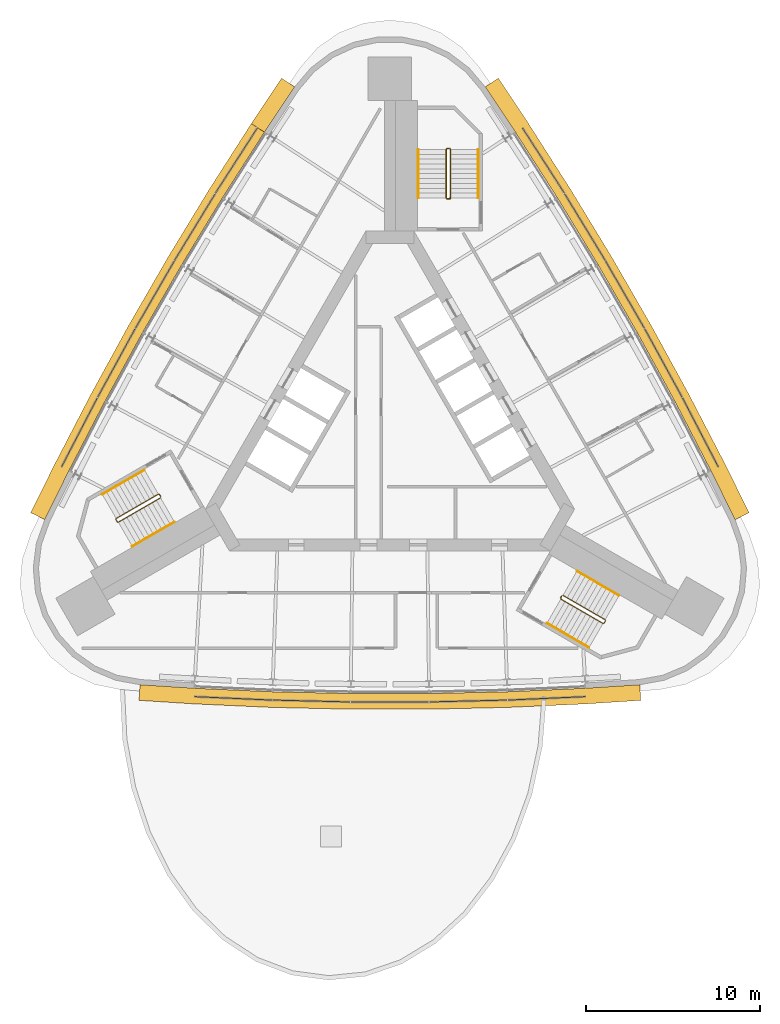
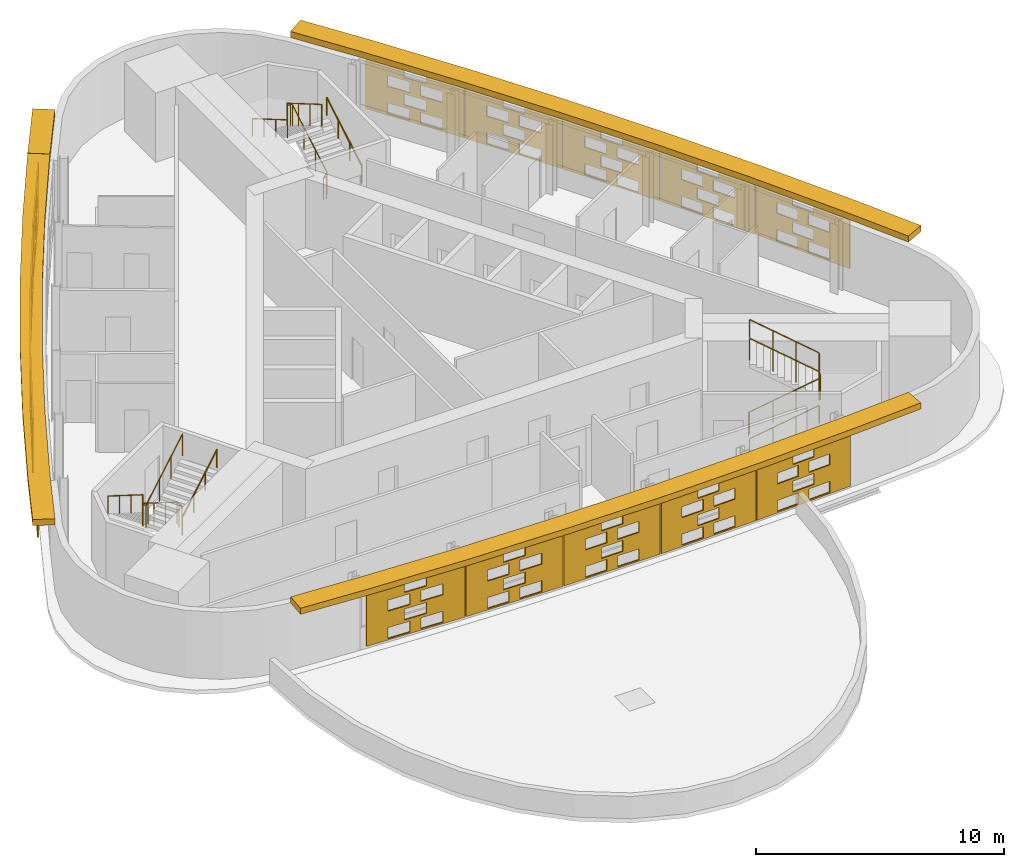
# One storey, part 9 of 9: 19 shading devices, 9 railings.
"""IFC4 building model written with IfcOpenShell, lengths in metres."""

import ifcopenshell
import ifcopenshell.guid

model = None  # the IFC model being written
_history = None  # IfcOwnerHistory: only IFC2X3 demands one
_inside = {}  # id of a spatial element -> (the spatial element, [elements in it])
_under = {}  # id of a project, library or spatial element -> (it, [spatial elements below it])
_declared = {}  # id of a project -> (the project, [libraries it declares])
_typed = {}  # id of a type object -> (the type object, [elements of that type])
_made_of = {}  # id of a material, layer set ... -> (it, [elements and type objects made of it])


def new_model(schema):
    """Start an empty IFC model of exactly this schema.

    Asked for "IFC4X3", IfcOpenShell would pick the latest addendum, in which some entities
    have other attributes; the version numbers below select the first issue.
    IFC2X3 requires an IfcOwnerHistory on every rooted entity: one is made here for all.
    """
    global model, _history
    if schema == "IFC4X3":
        model = ifcopenshell.file(schema_version=(4, 3, 0, 0))
    else:
        model = ifcopenshell.file(schema=schema)
    _inside.clear()
    _under.clear()
    _declared.clear()
    _typed.clear()
    _made_of.clear()
    _history = None
    if model.schema == "IFC2X3":
        org = make("IfcOrganization", Name="unknown")
        user = make(
            "IfcPersonAndOrganization",
            ThePerson=make("IfcPerson", FamilyName="unknown"),
            TheOrganization=org,
        )
        app = make(
            "IfcApplication",
            ApplicationDeveloper=org,
            Version="unknown",
            ApplicationFullName="unknown",
            ApplicationIdentifier="unknown",
        )
        _history = make(
            "IfcOwnerHistory",
            OwningUser=user,
            OwningApplication=app,
            ChangeAction="ADDED",
            CreationDate=0,
        )
    return model


def make(cls, **values):
    """One entity of the class cls with the attributes given. An attribute that is None is left unset."""
    return model.create_entity(
        cls, **{name: value for name, value in values.items() if value is not None}
    )


def rooted(cls, **values):
    """An entity with a GlobalId (a new one), such as an element, a storey or a relation."""
    return make(cls, GlobalId=ifcopenshell.guid.new(), OwnerHistory=_history, **values)


def si_unit(unit_type, name, prefix=None):
    """IfcSIUnit, for example si_unit("LENGTHUNIT", "METRE", prefix="MILLI")."""
    return make("IfcSIUnit", UnitType=unit_type, Prefix=prefix, Name=name)


def assignment(units):
    """IfcUnitAssignment: the units of a project."""
    return None if units is None else make("IfcUnitAssignment", Units=units)


def point(xyz):
    """IfcCartesianPoint."""
    return None if xyz is None else make("IfcCartesianPoint", Coordinates=xyz)


def direction(xyz):
    """IfcDirection."""
    return None if xyz is None else make("IfcDirection", DirectionRatios=xyz)


def frame(location, z_axis=None, x_axis=None):
    """IfcAxis2Placement3D, a coordinate frame: its origin and axes. An axis left out is left unset."""
    return make(
        "IfcAxis2Placement3D",
        Location=point(location),
        Axis=direction(z_axis),
        RefDirection=direction(x_axis),
    )


def frame_2d(location, x_axis=None):
    """IfcAxis2Placement2D, a coordinate frame in the plane: its origin and x axis."""
    return make(
        "IfcAxis2Placement2D", Location=point(location), RefDirection=direction(x_axis)
    )


def origin():
    """The frame at (0, 0, 0) with its axes left unset."""
    return frame((0.0, 0.0, 0.0))


def origin_2d():
    """The frame at (0, 0) in the plane with its x axis left unset."""
    return frame_2d((0.0, 0.0))


def place(relative_to, where):
    """IfcLocalPlacement: puts the frame where relative to a parent placement (None: the world)."""
    return make(
        "IfcLocalPlacement", PlacementRelTo=relative_to, RelativePlacement=where
    )


def context(
    kind, dimensions, precision=None, world=None, true_north=None, identifier=None
):
    """IfcGeometricRepresentationContext, for example the 3D "Model" context."""
    return make(
        "IfcGeometricRepresentationContext",
        ContextIdentifier=identifier,
        ContextType=kind,
        CoordinateSpaceDimension=dimensions,
        Precision=precision,
        WorldCoordinateSystem=world,
        TrueNorth=true_north,
    )


def subcontext(parent, identifier, kind, view, scale=None):
    """IfcGeometricRepresentationSubContext, for example "Body" below "Model"."""
    return make(
        "IfcGeometricRepresentationSubContext",
        ContextIdentifier=identifier,
        ContextType=kind,
        ParentContext=parent,
        TargetScale=scale,
        TargetView=view,
    )


def project(units=None, contexts=None):
    """IfcProject with its units and contexts."""
    return rooted(
        "IfcProject",
        Name="project",
        RepresentationContexts=contexts,
        UnitsInContext=assignment(units),
    )


def spatial(cls, under=None, at=None, **own):
    """A site, building, storey or space (cls), placed at a placement, below another one or the project."""
    s = rooted(cls, ObjectPlacement=at, **own)
    if under is not None:
        _under.setdefault(under.id(), (under, []))[1].append(s)
    return s


def polyline(points):
    """IfcPolyline through the points."""
    return make("IfcPolyline", Points=[point(p) for p in points])


def profile(cls, at=None, kind="AREA", **sizes):
    """A parametric profile (cls). Its sizes go by their IFC names, for example OverallWidth=200.0."""
    return make(cls, ProfileType=kind, Position=at, **sizes)


def circle(**sizes):
    """IfcCircleProfileDef."""
    return profile("IfcCircleProfileDef", **sizes)


def outline(outer, holes=None, kind="AREA"):
    """IfcArbitraryClosedProfileDef: a profile drawn as a closed curve; with holes, ...WithVoids."""
    if holes is None:
        return make("IfcArbitraryClosedProfileDef", ProfileType=kind, OuterCurve=outer)
    return make(
        "IfcArbitraryProfileDefWithVoids",
        ProfileType=kind,
        OuterCurve=outer,
        InnerCurves=holes,
    )


def extrude(swept, where, along, depth):
    """IfcExtrudedAreaSolid: the profile swept, set in the frame where, extruded along a direction by depth."""
    return make(
        "IfcExtrudedAreaSolid",
        SweptArea=swept,
        Position=where,
        ExtrudedDirection=direction(along),
        Depth=depth,
    )


def shape(context_of_items, identifier, shape_type, items):
    """IfcShapeRepresentation: the items that make up one representation, for example the "Body"."""
    return make(
        "IfcShapeRepresentation",
        ContextOfItems=context_of_items,
        RepresentationIdentifier=identifier,
        RepresentationType=shape_type,
        Items=items,
    )


def material(Name=None, Category=None):
    """IfcMaterial."""
    return make("IfcMaterial", Name=Name, Category=Category)


def material_profile(
    of_material, cross_section, Name=None, Category=None, Priority=None
):
    """IfcMaterialProfile: a cross section and its material."""
    return make(
        "IfcMaterialProfile",
        Name=Name,
        Material=of_material,
        Profile=cross_section,
        Priority=Priority,
        Category=Category,
    )


def profile_set(profiles, Name=None, composite=None):
    """IfcMaterialProfileSet."""
    return make(
        "IfcMaterialProfileSet",
        Name=Name,
        MaterialProfiles=profiles,
        CompositeProfile=composite,
    )


def made_of(thing, what):
    """Note that an element or type object is made of a material, layer set ...; save() writes the relation."""
    if what is not None:
        _made_of.setdefault(what.id(), (what, []))[1].append(thing)
    return thing


def type_object(cls, material=None, **own):
    """A type object (cls), such as IfcWallType, which elements share."""
    return made_of(rooted(cls, **own), material)


def element(
    cls,
    number,
    at=None,
    inside=None,
    cuts=None,
    type_object=None,
    material=None,
    context=None,
    identifier="Body",
    shape_type=None,
    held_by="IfcProductDefinitionShape",
    body=None,
    shapes=None,
    **own,
):
    """One element of the class cls, such as IfcWall. Its Tag is "e" and its number.

    at: its placement. inside: the storey or other place that contains it. cuts: it is an
    opening in that element (IfcRelVoidsElement). A single representation is given by context,
    identifier, shape_type and body (its items); several are given by shapes. held_by: the class
    of the entity that holds the representations. save() writes the other relations.
    """
    e = rooted(cls, Tag="e%d" % number, ObjectPlacement=at, **own)
    if body is not None:
        shapes = [shape(context, identifier, shape_type, body)]
    if shapes is not None:
        e.Representation = make(held_by, Representations=shapes)
    if inside is not None:
        _inside.setdefault(inside.id(), (inside, []))[1].append(e)
    if cuts is not None:
        rooted(
            "IfcRelVoidsElement", RelatingBuildingElement=cuts, RelatedOpeningElement=e
        )
    if type_object is not None:
        _typed.setdefault(type_object.id(), (type_object, []))[1].append(e)
    return made_of(e, material)


def aggregate(whole, parts):
    """IfcRelAggregates: a whole, such as a stair, and the parts it consists of."""
    return rooted("IfcRelAggregates", RelatingObject=whole, RelatedObjects=parts)


def save(model, path):
    """Write the relations noted so far, then the file.

    IfcRelAggregates (storeys below a building ...), IfcRelContainedInSpatialStructure (elements
    in a storey), IfcRelDefinesByType, IfcRelAssociatesMaterial and IfcRelDeclares: one each for
    every whole, place, type object, material and project.
    """
    for whole, parts in _under.values():
        aggregate(whole, parts)
    for where, things in _inside.values():
        rooted(
            "IfcRelContainedInSpatialStructure",
            RelatedElements=things,
            RelatingStructure=where,
        )
    for kind, things in _typed.values():
        rooted("IfcRelDefinesByType", RelatedObjects=things, RelatingType=kind)
    for what, things in _made_of.values():
        rooted("IfcRelAssociatesMaterial", RelatedObjects=things, RelatingMaterial=what)
    for by, libraries in _declared.values():
        rooted("IfcRelDeclares", RelatingContext=by, RelatedDefinitions=libraries)
    model.write(path)


model = new_model("IFC4")

# Units and contexts
model_context = context("Model", 3, precision=1e-05, world=origin(), true_north=direction((0.0, 1.0)))
body_context = subcontext(model_context, "Body", "Model", "MODEL_VIEW")
ifc_project = project(units=[si_unit("LENGTHUNIT", "METRE"), si_unit("AREAUNIT", "SQUARE_METRE"), si_unit("VOLUMEUNIT", "CUBIC_METRE"), si_unit("PLANEANGLEUNIT", "RADIAN"), si_unit("MASSUNIT", "GRAM", prefix="KILO")], contexts=[model_context])

# Site, building, storey
site_placement = place(None, origin())
site = spatial("IfcSite", under=ifc_project, at=site_placement, CompositionType="ELEMENT")
building_placement = place(site_placement, origin())
building = spatial("IfcBuilding", under=site, at=building_placement, Name="Noor Cloister Tower", CompositionType="ELEMENT")
storey_placement = place(building_placement, frame((0.0, 0.0, 229.199951171875)))
storey = spatial("IfcBuildingStorey", under=building, at=storey_placement, Name="L59", CompositionType="ELEMENT", Elevation=229.199951171875)

# Shading devices
ifc_material_1 = material(Name="Limestone", Category="masonry")
ifc_material_profile = material_profile(ifc_material_1, outline(polyline([(-2.22998046875, -1.35009765625), (2.22998046875, -1.35009765625), (2.22998046875, 1.35009765625), (-2.22998046875, 1.35009765625), (-2.22998046875, -1.35009765625)]), holes=[polyline([(-1.25, -1.282470703125), (-0.25, -1.282470703125), (-0.25, -0.742431640625), (-1.25, -0.742431640625), (-1.25, -1.282470703125)]), polyline([(0.25, -1.282470703125), (1.25, -1.282470703125), (1.25, -0.742431640625), (0.25, -0.742431640625), (0.25, -1.282470703125)]), polyline([(-0.5, -0.607421875), (0.5, -0.607421875), (0.5, -0.0673828125), (-0.5, -0.0673828125), (-0.5, -0.607421875)]), polyline([(-1.25, 0.0673828125), (-0.25, 0.0673828125), (-0.25, 0.607421875), (-1.25, 0.607421875), (-1.25, 0.0673828125)]), polyline([(0.25, 0.0673828125), (1.25, 0.0673828125), (1.25, 0.607421875), (0.25, 0.607421875), (0.25, 0.0673828125)]), polyline([(-0.5, 0.742431640625), (0.5, 0.742431640625), (0.5, 1.282470703125), (-0.5, 1.282470703125), (-0.5, 0.742431640625)])]), Name="Woven screen 35 percent open")
ifc_profile_set = profile_set([ifc_material_profile], Name="Limestone")
shading_device_type_1 = type_object("IfcShadingDeviceType", Name="SCREEN woven limestone 35 percent open", PredefinedType="USERDEFINED", material=ifc_profile_set)
for number, where, z_axis, x_axis, name in (
    (1, (-8.8037109375, 15.494384765625, 1.85009765625), (-0.841310503427, 0.540552159207, 0.0), (-0.540552159207, -0.841310503427, 0.0), "SCREEN L59 1"),
    (2, (-11.18994140625, 11.667724609375, 1.85009765625), (-0.853884327381, 0.520462828118, 0.0), (-0.520462828118, -0.853884327381, 0.0), "SCREEN L59 2"),
    (3, (-13.489013671875, 7.787841796875, 1.85009765625), (-0.865982457891, 0.500074377092, 0.0), (-0.500074377092, -0.865982457891, 0.0), "SCREEN L59 3"),
    (4, (-15.699462890625, 3.85693359375, 1.85009765625), (-0.877584848731, 0.479421352547, 0.0), (-0.479421352547, -0.877584848731, 0.0), "SCREEN L59 4"),
    (5, (-17.820556640625, -0.123046875, 1.85009765625), (-0.887816162103, 0.460198285861, 0.0), (-0.460198285861, -0.887816162103, 0.0), "SCREEN L59 5"),
):
    element("IfcShadingDevice", number, at=place(storey_placement, frame(where, z_axis=z_axis, x_axis=x_axis)), inside=storey, type_object=shading_device_type_1, Name=name, ObjectType="SCREEN", PredefinedType="USERDEFINED", context=body_context, shape_type="SweptSolid", body=[
        extrude(outline(polyline([(-2.22998046875, -1.35009765625), (2.22998046875, -1.35009765625), (2.22998046875, 1.35009765625), (-2.22998046875, 1.35009765625), (-2.22998046875, -1.35009765625)]), holes=[polyline([(-1.25, -1.282470703125), (-0.25, -1.282470703125), (-0.25, -0.742431640625), (-1.25, -0.742431640625), (-1.25, -1.282470703125)]), polyline([(0.25, -1.282470703125), (1.25, -1.282470703125), (1.25, -0.742431640625), (0.25, -0.742431640625), (0.25, -1.282470703125)]), polyline([(-0.5, -0.607421875), (0.5, -0.607421875), (0.5, -0.0673828125), (-0.5, -0.0673828125), (-0.5, -0.607421875)]), polyline([(-1.25, 0.0673828125), (-0.25, 0.0673828125), (-0.25, 0.607421875), (-1.25, 0.607421875), (-1.25, 0.0673828125)]), polyline([(0.25, 0.0673828125), (1.25, 0.0673828125), (1.25, 0.607421875), (0.25, 0.607421875), (0.25, 0.0673828125)]), polyline([(-0.5, 0.742431640625), (0.5, 0.742431640625), (0.5, 1.282470703125), (-0.5, 1.282470703125), (-0.5, 0.742431640625)])]), origin(), (0.0, 0.0, 1.0), 0.06005859375),
    ])
shading_device_1_placement = place(storey_placement, frame((-9.016845703125, -15.37158203125, 1.85009765625), z_axis=(-0.044852774233, -0.998993607909, 0.0), x_axis=(0.998993607909, -0.044852774233, 0.0)))
element("IfcShadingDevice", 6, at=shading_device_1_placement, inside=storey, type_object=shading_device_type_1, Name="SCREEN L59 1", ObjectType="SCREEN", PredefinedType="USERDEFINED", context=body_context, shape_type="SweptSolid", body=[
    extrude(outline(polyline([(-2.22998046875, -1.35009765625), (2.22998046875, -1.35009765625), (2.22998046875, 1.35009765625), (-2.22998046875, 1.35009765625), (-2.22998046875, -1.35009765625)]), holes=[polyline([(-1.25, -1.282470703125), (-0.25, -1.282470703125), (-0.25, -0.742431640625), (-1.25, -0.742431640625), (-1.25, -1.282470703125)]), polyline([(0.25, -1.282470703125), (1.25, -1.282470703125), (1.25, -0.742431640625), (0.25, -0.742431640625), (0.25, -1.282470703125)]), polyline([(-0.5, -0.607421875), (0.5, -0.607421875), (0.5, -0.0673828125), (-0.5, -0.0673828125), (-0.5, -0.607421875)]), polyline([(-1.25, 0.0673828125), (-0.25, 0.0673828125), (-0.25, 0.607421875), (-1.25, 0.607421875), (-1.25, 0.0673828125)]), polyline([(0.25, 0.0673828125), (1.25, 0.0673828125), (1.25, 0.607421875), (0.25, 0.607421875), (0.25, 0.0673828125)]), polyline([(-0.5, 0.742431640625), (0.5, 0.742431640625), (0.5, 1.282470703125), (-0.5, 1.282470703125), (-0.5, 0.742431640625)])]), origin(), (0.0, 0.0, 1.0), 0.059814453125),
])
for number, where, z_axis, x_axis, name in (
    (7, (-4.509521484375, -15.524658203125, 1.85009765625), (-0.024382992455, -0.999702690643, 0.0), (0.999702690643, -0.024382992455, 0.0), "SCREEN L59 2"),
    (8, (0.0, -15.57568359375, 1.85009765625), (0.0, -1.0, 0.0), (1.0, 0.0, 0.0), "SCREEN L59 3"),
    (9, (4.509521484375, -15.524658203125, 1.85009765625), (0.024382992455, -0.999702690643, 0.0), (0.999702690643, 0.024382992455, 0.0), "SCREEN L59 4"),
):
    element("IfcShadingDevice", number, at=place(storey_placement, frame(where, z_axis=z_axis, x_axis=x_axis)), inside=storey, type_object=shading_device_type_1, Name=name, ObjectType="SCREEN", PredefinedType="USERDEFINED", context=body_context, shape_type="SweptSolid", body=[
        extrude(outline(polyline([(-2.22998046875, -1.35009765625), (2.22998046875, -1.35009765625), (2.22998046875, 1.35009765625), (-2.22998046875, 1.35009765625), (-2.22998046875, -1.35009765625)]), holes=[polyline([(-1.25, -1.282470703125), (-0.25, -1.282470703125), (-0.25, -0.742431640625), (-1.25, -0.742431640625), (-1.25, -1.282470703125)]), polyline([(0.25, -1.282470703125), (1.25, -1.282470703125), (1.25, -0.742431640625), (0.25, -0.742431640625), (0.25, -1.282470703125)]), polyline([(-0.5, -0.607421875), (0.5, -0.607421875), (0.5, -0.0673828125), (-0.5, -0.0673828125), (-0.5, -0.607421875)]), polyline([(-1.25, 0.0673828125), (-0.25, 0.0673828125), (-0.25, 0.607421875), (-1.25, 0.607421875), (-1.25, 0.0673828125)]), polyline([(0.25, 0.0673828125), (1.25, 0.0673828125), (1.25, 0.607421875), (0.25, 0.607421875), (0.25, 0.0673828125)]), polyline([(-0.5, 0.742431640625), (0.5, 0.742431640625), (0.5, 1.282470703125), (-0.5, 1.282470703125), (-0.5, 0.742431640625)])]), origin(), (0.0, 0.0, 1.0), 0.06005859375),
    ])
shading_device_2_placement = place(storey_placement, frame((9.016845703125, -15.37158203125, 1.85009765625), z_axis=(0.044852774233, -0.998993607909, 0.0), x_axis=(0.998993607909, 0.044852774233, 0.0)))
element("IfcShadingDevice", 10, at=shading_device_2_placement, inside=storey, type_object=shading_device_type_1, Name="SCREEN L59 5", ObjectType="SCREEN", PredefinedType="USERDEFINED", context=body_context, shape_type="SweptSolid", body=[
    extrude(outline(polyline([(-2.22998046875, -1.35009765625), (2.22998046875, -1.35009765625), (2.22998046875, 1.35009765625), (-2.22998046875, 1.35009765625), (-2.22998046875, -1.35009765625)]), holes=[polyline([(-1.25, -1.282470703125), (-0.25, -1.282470703125), (-0.25, -0.742431640625), (-1.25, -0.742431640625), (-1.25, -1.282470703125)]), polyline([(0.25, -1.282470703125), (1.25, -1.282470703125), (1.25, -0.742431640625), (0.25, -0.742431640625), (0.25, -1.282470703125)]), polyline([(-0.5, -0.607421875), (0.5, -0.607421875), (0.5, -0.0673828125), (-0.5, -0.0673828125), (-0.5, -0.607421875)]), polyline([(-1.25, 0.0673828125), (-0.25, 0.0673828125), (-0.25, 0.607421875), (-1.25, 0.607421875), (-1.25, 0.0673828125)]), polyline([(0.25, 0.0673828125), (1.25, 0.0673828125), (1.25, 0.607421875), (0.25, 0.607421875), (0.25, 0.0673828125)]), polyline([(-0.5, 0.742431640625), (0.5, 0.742431640625), (0.5, 1.282470703125), (-0.5, 1.282470703125), (-0.5, 0.742431640625)])]), origin(), (0.0, 0.0, 1.0), 0.059814453125),
])
for number, where, z_axis, x_axis, name in (
    (11, (17.820556640625, -0.123046875, 1.85009765625), (0.887816162103, 0.460198285861, 0.0), (-0.460198285861, 0.887816162103, 0.0), "SCREEN L59 1"),
    (12, (15.699462890625, 3.85693359375, 1.85009765625), (0.877584848731, 0.479421352547, 0.0), (-0.479421352547, 0.877584848731, 0.0), "SCREEN L59 2"),
    (13, (13.489013671875, 7.787841796875, 1.85009765625), (0.865982457891, 0.500074377092, 0.0), (-0.500074377092, 0.865982457891, 0.0), "SCREEN L59 3"),
    (14, (11.18994140625, 11.667724609375, 1.85009765625), (0.853884327381, 0.520462828118, 0.0), (-0.520462828118, 0.853884327381, 0.0), "SCREEN L59 4"),
    (15, (8.8037109375, 15.494384765625, 1.85009765625), (0.841310503427, 0.540552159207, 0.0), (-0.540552159207, 0.841310503427, 0.0), "SCREEN L59 5"),
):
    element("IfcShadingDevice", number, at=place(storey_placement, frame(where, z_axis=z_axis, x_axis=x_axis)), inside=storey, type_object=shading_device_type_1, Name=name, ObjectType="SCREEN", PredefinedType="USERDEFINED", context=body_context, shape_type="SweptSolid", body=[
        extrude(outline(polyline([(-2.22998046875, -1.35009765625), (2.22998046875, -1.35009765625), (2.22998046875, 1.35009765625), (-2.22998046875, 1.35009765625), (-2.22998046875, -1.35009765625)]), holes=[polyline([(-1.25, -1.282470703125), (-0.25, -1.282470703125), (-0.25, -0.742431640625), (-1.25, -0.742431640625), (-1.25, -1.282470703125)]), polyline([(0.25, -1.282470703125), (1.25, -1.282470703125), (1.25, -0.742431640625), (0.25, -0.742431640625), (0.25, -1.282470703125)]), polyline([(-0.5, -0.607421875), (0.5, -0.607421875), (0.5, -0.0673828125), (-0.5, -0.0673828125), (-0.5, -0.607421875)]), polyline([(-1.25, 0.0673828125), (-0.25, 0.0673828125), (-0.25, 0.607421875), (-1.25, 0.607421875), (-1.25, 0.0673828125)]), polyline([(0.25, 0.0673828125), (1.25, 0.0673828125), (1.25, 0.607421875), (0.25, 0.607421875), (0.25, 0.0673828125)]), polyline([(-0.5, 0.742431640625), (0.5, 0.742431640625), (0.5, 1.282470703125), (-0.5, 1.282470703125), (-0.5, 0.742431640625)])]), origin(), (0.0, 0.0, 1.0), 0.06005859375),
    ])
ifc_material_2 = material(Name="Limestone", Category="masonry")
shading_device_type_2 = type_object("IfcShadingDeviceType", Name="SUNSHADE limestone band 900", PredefinedType="USERDEFINED", material=ifc_material_2)
shading_device_3_placement = place(storey_placement, frame((0.0, 0.0, 3.300048828125)))
element("IfcShadingDevice", 16, at=shading_device_3_placement, inside=storey, type_object=shading_device_type_2, Name="SUNSHADE L59 1", ObjectType="SUNSHADE", PredefinedType="USERDEFINED", context=body_context, shape_type="SweptSolid", body=[
    extrude(outline(polyline([(-7.970703125, 17.632568359375), (-10.400390625, 13.832763671875), (-12.74853515625, 9.97021484375), (-15.0087890625, 6.0556640625), (-17.1796875, 2.090576171875), (-19.259521484375, -1.9208984375), (-20.64892578125, -4.731689453125), (-19.842041015625, -5.13037109375), (-18.45654296875, -2.32763671875), (-16.385498046875, 1.66748046875), (-14.224365234375, 5.6142578125), (-11.974365234375, 9.511474609375), (-9.63671875, 13.3564453125), (-7.212646484375, 17.147705078125), (-7.970703125, 17.632568359375)])), origin(), (0.0, 0.0, 1.0), 0.300048828125),
])
shading_device_4_placement = place(storey_placement, frame((0.0, 0.0, 3.300048828125)))
element("IfcShadingDevice", 17, at=shading_device_4_placement, inside=storey, type_object=shading_device_type_2, Name="SUNSHADE L59 2", ObjectType="SUNSHADE", PredefinedType="USERDEFINED", context=body_context, shape_type="SweptSolid", body=[
    extrude(outline(polyline([(-14.422119140625, -15.5166015625), (-11.29345703125, -15.71875), (-6.779296875, -15.92333984375), (-2.26025390625, -16.02587890625), (2.26025390625, -16.02587890625), (6.779296875, -15.92333984375), (11.29345703125, -15.71875), (14.422119140625, -15.5166015625), (14.3642578125, -14.61865234375), (11.243896484375, -14.820068359375), (6.748779296875, -15.02392578125), (2.25, -15.125732421875), (-2.25, -15.125732421875), (-6.748779296875, -15.02392578125), (-11.243896484375, -14.820068359375), (-14.3642578125, -14.61865234375), (-14.422119140625, -15.5166015625)])), origin(), (0.0, 0.0, 1.0), 0.300048828125),
])
shading_device_5_placement = place(storey_placement, frame((0.0, 0.0, 3.300048828125)))
element("IfcShadingDevice", 18, at=shading_device_5_placement, inside=storey, type_object=shading_device_type_2, Name="SUNSHADE L59 3", ObjectType="SUNSHADE", PredefinedType="USERDEFINED", context=body_context, shape_type="SweptSolid", body=[
    extrude(outline(polyline([(20.64892578125, -4.731689453125), (19.259521484375, -1.9208984375), (17.1796875, 2.090576171875), (15.0087890625, 6.0556640625), (12.74853515625, 9.97021484375), (10.400390625, 13.832763671875), (7.966064453125, 17.6396484375), (6.226806640625, 20.248291015625), (5.47802734375, 19.7490234375), (7.212646484375, 17.147705078125), (9.63671875, 13.3564453125), (11.974365234375, 9.511474609375), (14.224365234375, 5.6142578125), (16.385498046875, 1.66748046875), (18.45654296875, -2.32763671875), (19.842041015625, -5.13037109375), (20.64892578125, -4.731689453125)])), origin(), (0.0, 0.0, 1.0), 0.300048828125),
])
shading_device_6_placement = place(storey_placement, frame((0.0, 0.0, 3.300048828125)))
element("IfcShadingDevice", 19, at=shading_device_6_placement, inside=storey, type_object=shading_device_type_2, Name="SUNSHADE L59 4", ObjectType="SUNSHADE", PredefinedType="USERDEFINED", context=body_context, shape_type="SweptSolid", body=[
    extrude(outline(polyline([(-6.226806640625, 20.248291015625), (-7.96142578125, 17.64697265625), (-7.212646484375, 17.147705078125), (-5.47802734375, 19.7490234375), (-6.226806640625, 20.248291015625)])), origin(), (0.0, 0.0, 1.0), 0.300048828125),
])

# Railings
ifc_material_3 = material(Name="Stainless steel", Category="steel")
railing_type_1 = type_object("IfcRailingType", Name="Stair guard 1100", PredefinedType="GUARDRAIL", material=ifc_material_3)
railing_1_placement = place(storey_placement, frame((3.435546875, 13.306396484375, 0.0)))
element("IfcRailing", 20, at=railing_1_placement, inside=storey, type_object=railing_type_1, Name="Stair guard ST1 L59", PredefinedType="GUARDRAIL", context=body_context, shape_type="SweptSolid", body=[
    extrude(circle(Radius=0.02392578125, at=origin_2d()), frame((0.0, 0.0, 1.076171875), z_axis=(-1.0, 0.0, 0.0), x_axis=(0.0, -1.0, 0.0)), (0.0, 0.0, 1.0), 0.14990234375),
    extrude(circle(Radius=0.02392578125, at=origin_2d()), frame((-0.14990234375, 0.0, 1.076171875), z_axis=(0.759870394187, 0.190199549216, 0.621627795), x_axis=(-0.242814311512, 0.970072785993, 0.0)), (0.0, 0.0, 1.0), 0.26318359375),
    extrude(circle(Radius=0.02392578125, at=origin_2d()), frame((0.050048828125, 0.050048828125, 1.23974609375), z_axis=(0.0, 0.863360870873, 0.504586966384), x_axis=(-1.0, 0.0, 0.0)), (0.0, 0.0, 1.0), 3.2431640625),
    extrude(circle(Radius=0.02392578125, at=origin_2d()), frame((0.050048828125, 2.85009765625, 2.8759765625), z_axis=(-0.708833529934, 0.705375805398, 0.0), x_axis=(-0.705375805398, -0.708833529934, 0.0)), (0.0, 0.0, 1.0), 0.070556640625),
    extrude(circle(Radius=0.02392578125, at=origin_2d()), frame((0.0, 2.89990234375, 2.8759765625), z_axis=(-1.0, 0.0, 0.0), x_axis=(0.0, -1.0, 0.0)), (0.0, 0.0, 1.0), 0.14990234375),
    extrude(circle(Radius=0.02392578125, at=origin_2d()), frame((-0.14990234375, 2.89990234375, 2.8759765625), z_axis=(-0.280916556609, -0.279546231943, 0.91811752648), x_axis=(0.705375805398, -0.708833529934, 0.0)), (0.0, 0.0, 1.0), 0.17822265625),
    extrude(circle(Radius=0.02392578125, at=origin_2d()), frame((-0.199951171875, 2.85009765625, 3.03955078125), z_axis=(0.0, -0.863360870873, 0.504586966384), x_axis=(1.0, 0.0, 0.0)), (0.0, 0.0, 1.0), 3.2431640625),
    extrude(circle(Radius=0.02099609375, at=origin_2d()), origin(), (0.0, 0.0, 1.0), 1.052001953125),
    extrude(circle(Radius=0.02099609375, at=origin_2d()), frame((-0.14990234375, 0.0, 0.0)), (0.0, 0.0, 1.0), 1.052001953125),
    extrude(circle(Radius=0.02099609375, at=origin_2d()), frame((0.050048828125, 0.050048828125, 0.16357421875)), (0.0, 0.0, 1.0), 1.052001953125),
    extrude(circle(Radius=0.02099609375, at=origin_2d()), frame((0.050048828125, 0.9833984375, 0.708984375)), (0.0, 0.0, 1.0), 1.052001953125),
    extrude(circle(Radius=0.02099609375, at=origin_2d()), frame((0.050048828125, 1.916748046875, 1.254638671875)), (0.0, 0.0, 1.0), 1.052001953125),
    extrude(circle(Radius=0.02099609375, at=origin_2d()), frame((0.050048828125, 2.85009765625, 1.800048828125)), (0.0, 0.0, 1.0), 1.052001953125),
    extrude(circle(Radius=0.02099609375, at=origin_2d()), frame((0.0, 2.89990234375, 1.800048828125)), (0.0, 0.0, 1.0), 1.052001953125),
    extrude(circle(Radius=0.02099609375, at=origin_2d()), frame((-0.14990234375, 2.89990234375, 1.800048828125)), (0.0, 0.0, 1.0), 1.052001953125),
    extrude(circle(Radius=0.02099609375, at=origin_2d()), frame((-0.199951171875, 2.85009765625, 1.963623046875)), (0.0, 0.0, 1.0), 1.052001953125),
    extrude(circle(Radius=0.02099609375, at=origin_2d()), frame((-0.199951171875, 1.916748046875, 2.509033203125)), (0.0, 0.0, 1.0), 1.052001953125),
    extrude(circle(Radius=0.02099609375, at=origin_2d()), frame((-0.199951171875, 0.9833984375, 3.0546875)), (0.0, 0.0, 1.0), 1.052001953125),
    extrude(circle(Radius=0.02099609375, at=origin_2d()), frame((-0.199951171875, 0.050048828125, 3.60009765625)), (0.0, 0.0, 1.0), 1.052001953125),
])
railing_2_placement = place(storey_placement, frame((-13.241455078125, -3.677734375, 0.0)))
element("IfcRailing", 21, at=railing_2_placement, inside=storey, type_object=railing_type_1, Name="Stair guard ST2 L59", PredefinedType="GUARDRAIL", context=body_context, shape_type="SweptSolid", body=[
    extrude(circle(Radius=0.02392578125, at=origin_2d()), frame((0.0, 0.0, 1.076171875), z_axis=(0.499112439033, -0.866537231285, 0.0), x_axis=(0.866537231285, 0.499112439033, 0.0)), (0.0, 0.0, 1.0), 0.150146484375),
    extrude(circle(Radius=0.02392578125, at=origin_2d()), frame((0.074951171875, -0.130126953125, 1.076171875), z_axis=(-0.544565797804, 0.563119998752, 0.621565731736), x_axis=(-0.718850276695, -0.695164929852, 0.0)), (0.0, 0.0, 1.0), 0.26318359375),
    extrude(circle(Radius=0.02392578125, at=origin_2d()), frame((-0.068359375, 0.01806640625, 1.23974609375), z_axis=(-0.747689811644, -0.431660630283, 0.504607813879), x_axis=(0.49998411664, -0.866034573852, 0.0)), (0.0, 0.0, 1.0), 3.2431640625),
    extrude(circle(Radius=0.02392578125, at=origin_2d()), frame((-2.4931640625, -1.3818359375, 2.8759765625), z_axis=(-0.258736085224, -0.965948051503, 0.0), x_axis=(0.965948051503, -0.258736085224, 0.0)), (0.0, 0.0, 1.0), 0.07080078125),
    extrude(circle(Radius=0.02392578125, at=origin_2d()), frame((-2.511474609375, -1.4501953125, 2.8759765625), z_axis=(0.499816412211, -0.866131372301, 0.0), x_axis=(0.866131372301, 0.499816412211, 0.0)), (0.0, 0.0, 1.0), 0.14990234375),
    extrude(circle(Radius=0.02392578125, at=origin_2d()), frame((-2.4365234375, -1.580078125, 2.8759765625), z_axis=(0.383552647116, -0.102737316192, 0.917786691313), x_axis=(0.258736085224, 0.965948051503, 0.0)), (0.0, 0.0, 1.0), 0.17822265625),
    extrude(circle(Radius=0.02392578125, at=origin_2d()), frame((-2.3681640625, -1.598388671875, 3.03955078125), z_axis=(0.747665513933, 0.431721881032, 0.504591415616), x_axis=(-0.500049511043, 0.865996816683, 0.0)), (0.0, 0.0, 1.0), 3.2431640625),
    extrude(circle(Radius=0.02099609375, at=origin_2d()), origin(), (0.0, 0.0, 1.0), 1.052001953125),
    extrude(circle(Radius=0.02099609375, at=origin_2d()), frame((0.074951171875, -0.130126953125, 0.0)), (0.0, 0.0, 1.0), 1.052001953125),
    extrude(circle(Radius=0.02099609375, at=origin_2d()), frame((-0.068359375, 0.01806640625, 0.16357421875)), (0.0, 0.0, 1.0), 1.052001953125),
    extrude(circle(Radius=0.02099609375, at=origin_2d()), frame((-0.876708984375, -0.448486328125, 0.708984375)), (0.0, 0.0, 1.0), 1.052001953125),
    extrude(circle(Radius=0.02099609375, at=origin_2d()), frame((-1.684814453125, -0.915283203125, 1.254638671875)), (0.0, 0.0, 1.0), 1.052001953125),
    extrude(circle(Radius=0.02099609375, at=origin_2d()), frame((-2.4931640625, -1.3818359375, 1.800048828125)), (0.0, 0.0, 1.0), 1.052001953125),
    extrude(circle(Radius=0.02099609375, at=origin_2d()), frame((-2.511474609375, -1.4501953125, 1.800048828125)), (0.0, 0.0, 1.0), 1.052001953125),
    extrude(circle(Radius=0.02099609375, at=origin_2d()), frame((-2.4365234375, -1.580078125, 1.800048828125)), (0.0, 0.0, 1.0), 1.052001953125),
    extrude(circle(Radius=0.02099609375, at=origin_2d()), frame((-2.3681640625, -1.598388671875, 1.963623046875)), (0.0, 0.0, 1.0), 1.052001953125),
    extrude(circle(Radius=0.02099609375, at=origin_2d()), frame((-1.559814453125, -1.131591796875, 2.509033203125)), (0.0, 0.0, 1.0), 1.052001953125),
    extrude(circle(Radius=0.02099609375, at=origin_2d()), frame((-0.751708984375, -0.6650390625, 3.0546875)), (0.0, 0.0, 1.0), 1.052001953125),
    extrude(circle(Radius=0.02099609375, at=origin_2d()), frame((0.056640625, -0.1982421875, 3.60009765625)), (0.0, 0.0, 1.0), 1.052001953125),
])
railing_3_placement = place(storey_placement, frame((9.805908203125, -9.628662109375, 0.0)))
element("IfcRailing", 22, at=railing_3_placement, inside=storey, type_object=railing_type_1, Name="Stair guard ST3 L59", PredefinedType="GUARDRAIL", context=body_context, shape_type="SweptSolid", body=[
    extrude(circle(Radius=0.02392578125, at=origin_2d()), frame((0.0, 0.0, 1.076171875), z_axis=(0.499112439033, 0.866537231285, 0.0), x_axis=(-0.866537231285, 0.499112439033, 0.0)), (0.0, 0.0, 1.0), 0.150146484375),
    extrude(circle(Radius=0.02392578125, at=origin_2d()), frame((0.074951171875, 0.130126953125, 1.076171875), z_axis=(-0.215214839654, -0.753251938789, 0.621525614518), x_axis=(0.961523947641, -0.274721127897, 0.0)), (0.0, 0.0, 1.0), 0.26318359375),
    extrude(circle(Radius=0.02392578125, at=origin_2d()), frame((0.018310546875, -0.068115234375, 1.23974609375), z_axis=(0.747665513933, -0.431721881032, 0.504591415616), x_axis=(0.500049511043, 0.865996816683, 0.0)), (0.0, 0.0, 1.0), 3.2431640625),
    extrude(circle(Radius=0.02392578125, at=origin_2d()), frame((2.443115234375, -1.46826171875, 2.8759765625), z_axis=(0.965948051503, 0.258736085224, 0.0), x_axis=(-0.258736085224, 0.965948051503, 0.0)), (0.0, 0.0, 1.0), 0.07080078125),
    extrude(circle(Radius=0.02392578125, at=origin_2d()), frame((2.511474609375, -1.449951171875, 2.8759765625), z_axis=(0.499816412211, 0.866131372301, 0.0), x_axis=(-0.866131372301, 0.499816412211, 0.0)), (0.0, 0.0, 1.0), 0.14990234375),
    extrude(circle(Radius=0.02392578125, at=origin_2d()), frame((2.58642578125, -1.320068359375, 2.8759765625), z_axis=(-0.102737316192, 0.383552647116, 0.917786691313), x_axis=(-0.965948051503, -0.258736085224, 0.0)), (0.0, 0.0, 1.0), 0.17822265625),
    extrude(circle(Radius=0.02392578125, at=origin_2d()), frame((2.568115234375, -1.251708984375, 3.03955078125), z_axis=(-0.747689811644, 0.431660630283, 0.504607813879), x_axis=(-0.49998411664, -0.866034573852, 0.0)), (0.0, 0.0, 1.0), 3.2431640625),
    extrude(circle(Radius=0.02099609375, at=origin_2d()), origin(), (0.0, 0.0, 1.0), 1.052001953125),
    extrude(circle(Radius=0.02099609375, at=origin_2d()), frame((0.074951171875, 0.130126953125, 0.0)), (0.0, 0.0, 1.0), 1.052001953125),
    extrude(circle(Radius=0.02099609375, at=origin_2d()), frame((0.018310546875, -0.068115234375, 0.16357421875)), (0.0, 0.0, 1.0), 1.052001953125),
    extrude(circle(Radius=0.02099609375, at=origin_2d()), frame((0.82666015625, -0.534912109375, 0.708984375)), (0.0, 0.0, 1.0), 1.052001953125),
    extrude(circle(Radius=0.02099609375, at=origin_2d()), frame((1.634765625, -1.00146484375, 1.254638671875)), (0.0, 0.0, 1.0), 1.052001953125),
    extrude(circle(Radius=0.02099609375, at=origin_2d()), frame((2.443115234375, -1.46826171875, 1.800048828125)), (0.0, 0.0, 1.0), 1.052001953125),
    extrude(circle(Radius=0.02099609375, at=origin_2d()), frame((2.511474609375, -1.449951171875, 1.800048828125)), (0.0, 0.0, 1.0), 1.052001953125),
    extrude(circle(Radius=0.02099609375, at=origin_2d()), frame((2.58642578125, -1.320068359375, 1.800048828125)), (0.0, 0.0, 1.0), 1.052001953125),
    extrude(circle(Radius=0.02099609375, at=origin_2d()), frame((2.568115234375, -1.251708984375, 1.963623046875)), (0.0, 0.0, 1.0), 1.052001953125),
    extrude(circle(Radius=0.02099609375, at=origin_2d()), frame((1.759765625, -0.78515625, 2.509033203125)), (0.0, 0.0, 1.0), 1.052001953125),
    extrude(circle(Radius=0.02099609375, at=origin_2d()), frame((0.95166015625, -0.318359375, 3.0546875)), (0.0, 0.0, 1.0), 1.052001953125),
    extrude(circle(Radius=0.02099609375, at=origin_2d()), frame((0.143310546875, 0.148193359375, 3.60009765625)), (0.0, 0.0, 1.0), 1.052001953125),
])
ifc_material_4 = material(Name="Stainless steel", Category="steel")
railing_type_2 = type_object("IfcRailingType", Name="Stair handrail 900", PredefinedType="HANDRAIL", material=ifc_material_4)
railing_4_placement = place(storey_placement, frame((5.085693359375, 13.3564453125, 0.16357421875)))
element("IfcRailing", 23, at=railing_4_placement, inside=storey, type_object=railing_type_2, Name="Stair handrail ST1 L59 1", PredefinedType="HANDRAIL", context=body_context, shape_type="SweptSolid", body=[
    extrude(circle(Radius=0.02392578125, at=origin_2d()), frame((0.0, 0.0, 0.8759765625), z_axis=(0.0, 0.863360870873, 0.504586966384), x_axis=(-1.0, 0.0, 0.0)), (0.0, 0.0, 1.0), 3.2431640625),
    extrude(circle(Radius=0.02099609375, at=origin_2d()), origin(), (0.0, 0.0, 1.0), 0.851806640625),
    extrude(circle(Radius=0.02099609375, at=origin_2d()), frame((0.0, 0.933349609375, 0.54541015625)), (0.0, 0.0, 1.0), 0.851806640625),
    extrude(circle(Radius=0.02099609375, at=origin_2d()), frame((0.0, 1.86669921875, 1.091064453125)), (0.0, 0.0, 1.0), 0.851806640625),
    extrude(circle(Radius=0.02099609375, at=origin_2d()), frame((0.0, 2.800048828125, 1.636474609375)), (0.0, 0.0, 1.0), 0.851806640625),
])
railing_5_placement = place(storey_placement, frame((1.6357421875, 16.156494140625, 1.963623046875)))
element("IfcRailing", 24, at=railing_5_placement, inside=storey, type_object=railing_type_2, Name="Stair handrail ST1 L59 2", PredefinedType="HANDRAIL", context=body_context, shape_type="SweptSolid", body=[
    extrude(circle(Radius=0.02392578125, at=origin_2d()), frame((0.0, 0.0, 0.8759765625), z_axis=(0.0, -0.863360870873, 0.504586966384), x_axis=(1.0, 0.0, 0.0)), (0.0, 0.0, 1.0), 3.2431640625),
    extrude(circle(Radius=0.02099609375, at=origin_2d()), origin(), (0.0, 0.0, 1.0), 0.851806640625),
    extrude(circle(Radius=0.02099609375, at=origin_2d()), frame((0.0, -0.933349609375, 0.54541015625)), (0.0, 0.0, 1.0), 0.851806640625),
    extrude(circle(Radius=0.02099609375, at=origin_2d()), frame((0.0, -1.86669921875, 1.091064453125)), (0.0, 0.0, 1.0), 0.851806640625),
    extrude(circle(Radius=0.02099609375, at=origin_2d()), frame((0.0, -2.800048828125, 1.636474609375)), (0.0, 0.0, 1.0), 0.851806640625),
])
railing_6_placement = place(storey_placement, frame((-14.10986328125, -2.27392578125, 0.16357421875)))
element("IfcRailing", 25, at=railing_6_placement, inside=storey, type_object=railing_type_2, Name="Stair handrail ST2 L59 1", PredefinedType="HANDRAIL", context=body_context, shape_type="SweptSolid", body=[
    extrude(circle(Radius=0.02392578125, at=origin_2d()), frame((0.0, 0.0, 0.8759765625), z_axis=(-0.747689811644, -0.431660630283, 0.504607813879), x_axis=(0.49998411664, -0.866034573852, 0.0)), (0.0, 0.0, 1.0), 3.2431640625),
    extrude(circle(Radius=0.02099609375, at=origin_2d()), origin(), (0.0, 0.0, 1.0), 0.851806640625),
    extrude(circle(Radius=0.02099609375, at=origin_2d()), frame((-0.808349609375, -0.466552734375, 0.54541015625)), (0.0, 0.0, 1.0), 0.851806640625),
    extrude(circle(Radius=0.02099609375, at=origin_2d()), frame((-1.616455078125, -0.933349609375, 1.091064453125)), (0.0, 0.0, 1.0), 0.851806640625),
    extrude(circle(Radius=0.02099609375, at=origin_2d()), frame((-2.4248046875, -1.39990234375, 1.636474609375)), (0.0, 0.0, 1.0), 0.851806640625),
])
railing_7_placement = place(storey_placement, frame((-14.8095703125, -6.66162109375, 1.963623046875)))
element("IfcRailing", 26, at=railing_7_placement, inside=storey, type_object=railing_type_2, Name="Stair handrail ST2 L59 2", PredefinedType="HANDRAIL", context=body_context, shape_type="SweptSolid", body=[
    extrude(circle(Radius=0.02392578125, at=origin_2d()), frame((0.0, 0.0, 0.8759765625), z_axis=(0.747689811644, 0.431660630283, 0.504607813879), x_axis=(-0.49998411664, 0.866034573852, 0.0)), (0.0, 0.0, 1.0), 3.2431640625),
    extrude(circle(Radius=0.02099609375, at=origin_2d()), origin(), (0.0, 0.0, 1.0), 0.851806640625),
    extrude(circle(Radius=0.02099609375, at=origin_2d()), frame((0.808349609375, 0.466552734375, 0.54541015625)), (0.0, 0.0, 1.0), 0.851806640625),
    extrude(circle(Radius=0.02099609375, at=origin_2d()), frame((1.616455078125, 0.933349609375, 1.091064453125)), (0.0, 0.0, 1.0), 0.851806640625),
    extrude(circle(Radius=0.02099609375, at=origin_2d()), frame((2.4248046875, 1.39990234375, 1.636474609375)), (0.0, 0.0, 1.0), 0.851806640625),
])
railing_8_placement = place(storey_placement, frame((9.024169921875, -11.08251953125, 0.16357421875)))
element("IfcRailing", 27, at=railing_8_placement, inside=storey, type_object=railing_type_2, Name="Stair handrail ST3 L59 1", PredefinedType="HANDRAIL", context=body_context, shape_type="SweptSolid", body=[
    extrude(circle(Radius=0.02392578125, at=origin_2d()), frame((0.0, 0.0, 0.8759765625), z_axis=(0.747689811644, -0.431660630283, 0.504607813879), x_axis=(0.49998411664, 0.866034573852, 0.0)), (0.0, 0.0, 1.0), 3.2431640625),
    extrude(circle(Radius=0.02099609375, at=origin_2d()), origin(), (0.0, 0.0, 1.0), 0.851806640625),
    extrude(circle(Radius=0.02099609375, at=origin_2d()), frame((0.808349609375, -0.466552734375, 0.54541015625)), (0.0, 0.0, 1.0), 0.851806640625),
    extrude(circle(Radius=0.02099609375, at=origin_2d()), frame((1.616455078125, -0.933349609375, 1.091064453125)), (0.0, 0.0, 1.0), 0.851806640625),
    extrude(circle(Radius=0.02099609375, at=origin_2d()), frame((2.4248046875, -1.39990234375, 1.636474609375)), (0.0, 0.0, 1.0), 0.851806640625),
])
railing_9_placement = place(storey_placement, frame((13.174072265625, -9.49462890625, 1.963623046875)))
element("IfcRailing", 28, at=railing_9_placement, inside=storey, type_object=railing_type_2, Name="Stair handrail ST3 L59 2", PredefinedType="HANDRAIL", context=body_context, shape_type="SweptSolid", body=[
    extrude(circle(Radius=0.02392578125, at=origin_2d()), frame((0.0, 0.0, 0.8759765625), z_axis=(-0.747689811644, 0.431660630283, 0.504607813879), x_axis=(-0.49998411664, -0.866034573852, 0.0)), (0.0, 0.0, 1.0), 3.2431640625),
    extrude(circle(Radius=0.02099609375, at=origin_2d()), origin(), (0.0, 0.0, 1.0), 0.851806640625),
    extrude(circle(Radius=0.02099609375, at=origin_2d()), frame((-0.808349609375, 0.466552734375, 0.54541015625)), (0.0, 0.0, 1.0), 0.851806640625),
    extrude(circle(Radius=0.02099609375, at=origin_2d()), frame((-1.616455078125, 0.933349609375, 1.091064453125)), (0.0, 0.0, 1.0), 0.851806640625),
    extrude(circle(Radius=0.02099609375, at=origin_2d()), frame((-2.4248046875, 1.39990234375, 1.636474609375)), (0.0, 0.0, 1.0), 0.851806640625),
])

save(model, "model.ifc")
